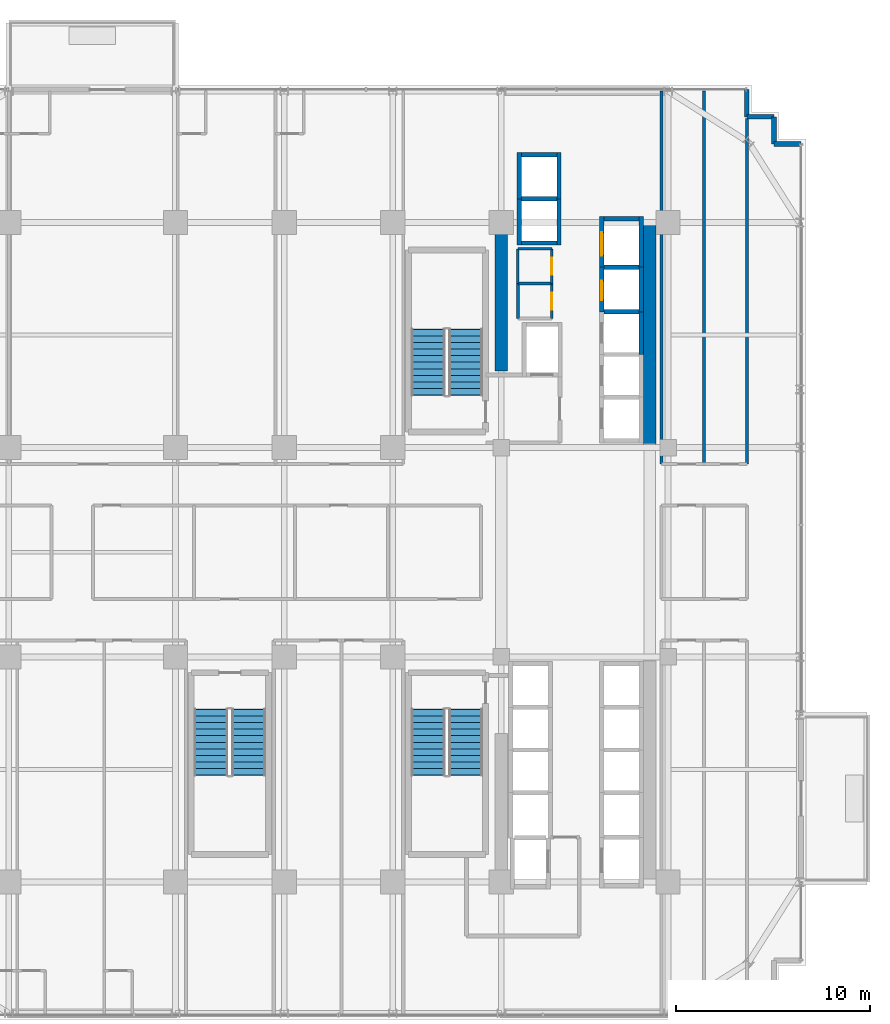
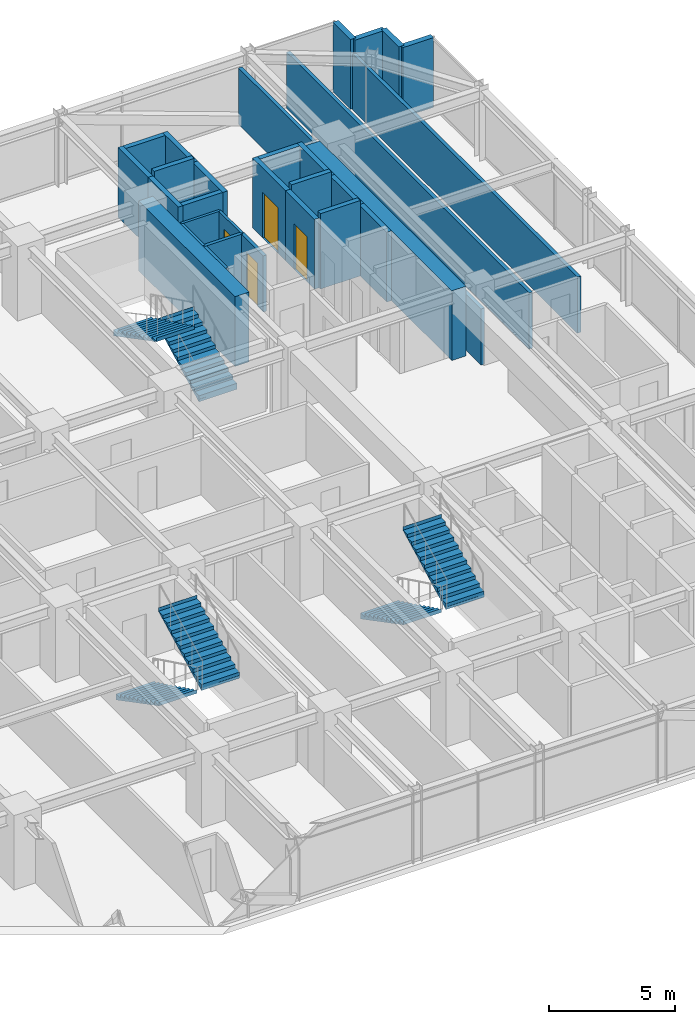
# One storey, part 30 of 34: 30 walls, 6 stair flights, 4 doors, 4 openings, 3 elements without a shape of their own.
"""IFC4 building model written with IfcOpenShell, lengths in metres."""

from ifc_helpers import new_model, si_unit, direction, frame, frame_2d, origin, place, context, subcontext, project, spatial, polyline, rectangle, outline, extrude, source, transform, mapped, material, layer, layer_set, type_object, element, fill, aggregate, save


model = new_model("IFC4")

# Units and contexts
model_context = context("Model", 3, precision=1e-05, world=origin(), true_north=direction((0.0, 1.0)))
body_context = subcontext(model_context, "Body", "Model", "MODEL_VIEW")
ifc_project = project(units=[si_unit("LENGTHUNIT", "METRE"), si_unit("AREAUNIT", "SQUARE_METRE"), si_unit("VOLUMEUNIT", "CUBIC_METRE"), si_unit("PLANEANGLEUNIT", "RADIAN"), si_unit("MASSUNIT", "GRAM", prefix="KILO")], contexts=[model_context])

# Site, building, storey
site_placement = place(None, origin())
site = spatial("IfcSite", under=ifc_project, at=site_placement, CompositionType="ELEMENT")
building_placement = place(site_placement, origin())
building = spatial("IfcBuilding", under=site, at=building_placement, Name="Nahalor Promenade Grand Hotel", CompositionType="ELEMENT")
storey_placement = place(building_placement, frame((0.0, 0.0, 128.449951171875)))
storey = spatial("IfcBuildingStorey", under=building, at=storey_placement, Name="L32", CompositionType="ELEMENT", Elevation=128.449951171875)

# Walls
ifc_material_1 = material(Name="Concrete B-60 (C50/60)", Category="concrete")
ifc_layer_1 = layer(ifc_material_1, 0.64990234375)
ifc_layer_set_1 = layer_set([ifc_layer_1], Name="Concrete B-60 (C50/60)")
wall_type_1 = type_object("IfcWallType", Name="Wall-CoreShear-650", PredefinedType="SHEAR", material=ifc_layer_set_1)
shared_shape_1 = source(origin(), body_context, "Body", "SweptSolid", [
    extrude(rectangle(XDim=7.64990234375, YDim=0.64990234375, at=frame_2d((3.824951171875, 0.0))), origin(), (0.0, 0.0, 1.0), 3.380126953125),
])
wall_1_placement = place(storey_placement, frame((8.39990234375, 9.35009765625, 0.0), z_axis=(0.0, 0.0, 1.0), x_axis=(0.0, 1.0, 0.0)))
element("IfcWall", 1, at=wall_1_placement, inside=storey, type_object=wall_type_1, Name="CWALL-L32-NW", PredefinedType="SHEAR", context=body_context, shape_type="MappedRepresentation", body=[
    mapped(shared_shape_1, transform((0.0, 0.0, 0.0), scale=1.0)),
])
shared_shape_2 = source(origin(), body_context, "Body", "SweptSolid", [
    extrude(rectangle(XDim=11.60009765625, YDim=0.64990234375, at=frame_2d((5.800048828125, 0.0))), origin(), (0.0, 0.0, 1.0), 3.380126953125),
])
wall_2_placement = place(storey_placement, frame((16.050048828125, 5.39990234375, 0.0), z_axis=(0.0, 0.0, 1.0), x_axis=(0.0, 1.0, 0.0)))
element("IfcWall", 2, at=wall_2_placement, inside=storey, type_object=wall_type_1, Name="CWALL-L32-NE", PredefinedType="SHEAR", context=body_context, shape_type="MappedRepresentation", body=[
    mapped(shared_shape_2, transform((0.0, 0.0, 0.0), scale=1.0)),
])
ifc_material_2 = material(Name="Concrete B-50 (C40/50)", Category="concrete")
ifc_layer_2 = layer(ifc_material_2, 0.219970703125)
ifc_layer_set_2 = layer_set([ifc_layer_2], Name="Concrete B-50 (C40/50)")
wall_type_2 = type_object("IfcWallType", Name="Wall-LiftShaft-220", PredefinedType="SHEAR", material=ifc_layer_set_2)
shared_shape_3 = source(origin(), body_context, "Body", "SweptSolid", [
    extrude(rectangle(XDim=1.820068359375, YDim=0.219970703125, at=frame_2d((0.91015625, 0.0))), origin(), (0.0, 0.0, 1.0), 3.650146484375),
])
for number, where, z_axis, x_axis, name in (
    (3, (13.68994140625, 12.39990234375, 0.0), (0.0, 0.0, 1.0), (1.0, 0.0, 0.0), "L32 Lift PL3 Hoistway Wall N"),
    (4, (13.68994140625, 14.699951171875, 0.0), (0.0, 0.0, 1.0), (1.0, 0.0, 0.0), "L32 Lift PL4 Hoistway Wall N"),
    (5, (9.43994140625, 18.22509765625, 0.0), (0.0, 0.0, 1.0), (1.0, 0.0, 0.0), "L32 Lift OB1 Hoistway Wall N"),
):
    element("IfcWall", number, at=place(storey_placement, frame(where, z_axis=z_axis, x_axis=x_axis)), inside=storey, type_object=wall_type_2, Name=name, PredefinedType="SHEAR", context=body_context, shape_type="MappedRepresentation", body=[
        mapped(shared_shape_3, transform((0.0, 0.0, 0.0), scale=1.0)),
    ])
shared_shape_4 = source(origin(), body_context, "Body", "SweptSolid", [
    extrude(rectangle(XDim=1.820068359375, YDim=0.219970703125, at=frame_2d((0.91015625, 0.0))), origin(), (0.0, 0.0, 1.0), 3.380126953125),
])
for number, where, z_axis, x_axis, name in (
    (6, (9.43994140625, 15.949951171875, 0.0), (0.0, 0.0, 1.0), (1.0, 0.0, 0.0), "L32 Lift OB1 Hoistway Wall S"),
    (7, (9.43994140625, 20.5, 0.0), (0.0, 0.0, 1.0), (1.0, 0.0, 0.0), "L32 Lift OB2 Hoistway Wall N"),
    (8, (13.68994140625, 17.199951171875, 0.0), (0.0, 0.0, 1.0), (1.0, 0.0, 0.0), "L32 Lift SV1 Hoistway Wall N"),
):
    element("IfcWall", number, at=place(storey_placement, frame(where, z_axis=z_axis, x_axis=x_axis)), inside=storey, type_object=wall_type_2, Name=name, PredefinedType="SHEAR", context=body_context, shape_type="MappedRepresentation", body=[
        mapped(shared_shape_4, transform((0.0, 0.0, 0.0), scale=1.0)),
    ])
shared_shape_5 = source(origin(), body_context, "Body", "SweptSolid", [
    extrude(rectangle(XDim=2.199951171875, YDim=0.219970703125, at=frame_2d((1.10009765625, 0.0))), origin(), (0.0, 0.0, 1.0), 3.380126953125),
])
wall_3_placement = place(storey_placement, frame((15.6201171875, 10.199951171875, 0.0), z_axis=(0.0, 0.0, 1.0), x_axis=(0.0, 1.0, 0.0)))
element("IfcWall", 9, at=wall_3_placement, inside=storey, type_object=wall_type_2, Name="L32 Lift PL3 Hoistway Wall E", PredefinedType="SHEAR", context=body_context, shape_type="MappedRepresentation", body=[
    mapped(shared_shape_5, transform((0.0, 0.0, 0.0), scale=1.0)),
])

# Wall, opening, door
shared_shape_6 = source(origin(), body_context, "Body", "SweptSolid", [
    extrude(rectangle(XDim=2.300048828125, YDim=0.219970703125, at=frame_2d((1.14990234375, 0.0))), origin(), (0.0, 0.0, 1.0), 3.380126953125),
])
wall_4_placement = place(storey_placement, frame((13.580078125, 12.39990234375, 0.0), z_axis=(0.0, 0.0, 1.0), x_axis=(0.0, 1.0, 0.0)))
wall_4 = element("IfcWall", 10, at=wall_4_placement, inside=storey, type_object=wall_type_2, Name="L32 Lift PL4 Hoistway Wall W", PredefinedType="SHEAR", context=body_context, shape_type="MappedRepresentation", body=[
    mapped(shared_shape_6, transform((0.0, 0.0, 0.0), scale=1.0)),
])
opening_1_placement = place(wall_4_placement, frame((0.60009765625, 0.0, 0.0)))
opening_1 = element("IfcOpeningElement", 11, at=opening_1_placement, cuts=wall_4, Name="Opening LD-01", PredefinedType="OPENING", context=body_context, shape_type="SweptSolid", body=[
    extrude(rectangle(XDim=1.0, YDim=2.199951171875, at=frame_2d((0.5, 1.10009765625))), frame((0.0, 0.119873046875, 0.0), z_axis=(0.0, -1.0, 0.0), x_axis=(1.0, 0.0, 0.0)), (0.0, 0.0, 1.0), 0.239990234375),
])
ifc_material_3 = material(Name="Steel S355JR", Category="steel")
door_type_1 = type_object("IfcDoorType", Name="Door-LiftLanding-1000", OperationType="DOUBLE_DOOR_SLIDING", PredefinedType="DOOR", material=ifc_material_3)
shared_shape_7 = source(origin(), body_context, "Body", "SweptSolid", [
    extrude(rectangle(XDim=1.0, YDim=2.199951171875, at=frame_2d((0.5, 1.10009765625))), frame((0.0, 0.02490234375, 0.0), z_axis=(0.0, -1.0, 0.0), x_axis=(1.0, 0.0, 0.0)), (0.0, 0.0, 1.0), 0.050048828125),
])
door_1_placement = place(opening_1_placement, origin())
door_1 = element("IfcDoor", 12, at=door_1_placement, inside=storey, type_object=door_type_1, Name="DR-LIFT-PL4-L32", OperationType="DOUBLE_DOOR_SLIDING", OverallHeight=2.199951171875, OverallWidth=1.0, PredefinedType="DOOR", context=body_context, shape_type="MappedRepresentation", body=[
    mapped(shared_shape_7, transform((0.0, 0.0, 0.0), scale=1.0)),
])
fill(opening_1, door_1)

# Walls
wall_5_placement = place(storey_placement, frame((15.6201171875, 12.39990234375, 0.0), z_axis=(0.0, 0.0, 1.0), x_axis=(0.0, 1.0, 0.0)))
element("IfcWall", 13, at=wall_5_placement, inside=storey, type_object=wall_type_2, Name="L32 Lift PL4 Hoistway Wall E", PredefinedType="SHEAR", context=body_context, shape_type="MappedRepresentation", body=[
    mapped(shared_shape_6, transform((0.0, 0.0, 0.0), scale=1.0)),
])
shared_shape_8 = source(origin(), body_context, "Body", "SweptSolid", [
    extrude(rectangle(XDim=2.385009765625, YDim=0.219970703125, at=frame_2d((1.1923828125, 0.0))), origin(), (0.0, 0.0, 1.0), 3.380126953125),
])
for number, where, z_axis, x_axis, name in (
    (14, (9.330078125, 15.840087890625, 0.0), (0.0, 0.0, 1.0), (0.0, 1.0, 0.0), "L32 Lift OB1 Hoistway Wall W"),
    (15, (11.3701171875, 15.840087890625, 0.0), (0.0, 0.0, 1.0), (0.0, 1.0, 0.0), "L32 Lift OB1 Hoistway Wall E"),
    (16, (9.330078125, 18.22509765625, 0.0), (0.0, 0.0, 1.0), (0.0, 1.0, 0.0), "L32 Lift OB2 Hoistway Wall W"),
    (17, (11.3701171875, 18.22509765625, 0.0), (0.0, 0.0, 1.0), (0.0, 1.0, 0.0), "L32 Lift OB2 Hoistway Wall E"),
):
    element("IfcWall", number, at=place(storey_placement, frame(where, z_axis=z_axis, x_axis=x_axis)), inside=storey, type_object=wall_type_2, Name=name, PredefinedType="SHEAR", context=body_context, shape_type="MappedRepresentation", body=[
        mapped(shared_shape_8, transform((0.0, 0.0, 0.0), scale=1.0)),
    ])

# Wall, opening, door
shared_shape_9 = source(origin(), body_context, "Body", "SweptSolid", [
    extrude(rectangle(XDim=2.610107421875, YDim=0.219970703125, at=frame_2d((1.30517578125, 0.0))), origin(), (0.0, 0.0, 1.0), 3.380126953125),
])
wall_6_placement = place(storey_placement, frame((13.580078125, 14.699951171875, 0.0), z_axis=(0.0, 0.0, 1.0), x_axis=(0.0, 1.0, 0.0)))
wall_6 = element("IfcWall", 18, at=wall_6_placement, inside=storey, type_object=wall_type_2, Name="L32 Lift SV1 Hoistway Wall W", PredefinedType="SHEAR", context=body_context, shape_type="MappedRepresentation", body=[
    mapped(shared_shape_9, transform((0.0, 0.0, 0.0), scale=1.0)),
])
opening_2_placement = place(wall_6_placement, frame((0.60009765625, 0.0, 0.0)))
opening_2 = element("IfcOpeningElement", 19, at=opening_2_placement, cuts=wall_6, Name="Opening LD-03", PredefinedType="OPENING", context=body_context, shape_type="SweptSolid", body=[
    extrude(rectangle(XDim=1.199951171875, YDim=2.199951171875, at=frame_2d((0.60009765625, 1.10009765625))), frame((0.0, 0.119873046875, 0.0), z_axis=(0.0, -1.0, 0.0), x_axis=(1.0, 0.0, 0.0)), (0.0, 0.0, 1.0), 0.239990234375),
])
door_type_2 = type_object("IfcDoorType", Name="Door-LiftService-1200", OperationType="DOUBLE_DOOR_SLIDING", PredefinedType="DOOR", material=ifc_material_3)
shared_shape_10 = source(origin(), body_context, "Body", "SweptSolid", [
    extrude(rectangle(XDim=1.199951171875, YDim=2.199951171875, at=frame_2d((0.60009765625, 1.10009765625))), frame((0.0, 0.02490234375, 0.0), z_axis=(0.0, -1.0, 0.0), x_axis=(1.0, 0.0, 0.0)), (0.0, 0.0, 1.0), 0.050048828125),
])
door_2_placement = place(opening_2_placement, origin())
door_2 = element("IfcDoor", 20, at=door_2_placement, inside=storey, type_object=door_type_2, Name="DR-LIFT-SV1-L32", OperationType="DOUBLE_DOOR_SLIDING", OverallHeight=2.199951171875, OverallWidth=1.199951171875, PredefinedType="DOOR", context=body_context, shape_type="MappedRepresentation", body=[
    mapped(shared_shape_10, transform((0.0, 0.0, 0.0), scale=1.0)),
])
fill(opening_2, door_2)

# Walls
wall_7_placement = place(storey_placement, frame((15.6201171875, 14.699951171875, 0.0), z_axis=(0.0, 0.0, 1.0), x_axis=(0.0, 1.0, 0.0)))
element("IfcWall", 21, at=wall_7_placement, inside=storey, type_object=wall_type_2, Name="L32 Lift SV1 Hoistway Wall E", PredefinedType="SHEAR", context=body_context, shape_type="MappedRepresentation", body=[
    mapped(shared_shape_9, transform((0.0, 0.0, 0.0), scale=1.0)),
])
ifc_material_4 = material(Name="Concrete B-40 (C32/40)", Category="concrete")
ifc_layer_3 = layer(ifc_material_4, 0.25)
ifc_layer_set_3 = layer_set([ifc_layer_3], Name="Concrete B-40 (C32/40)")
wall_type_3 = type_object("IfcWallType", Name="Wall-BronzePier-250", PredefinedType="STANDARD", material=ifc_layer_set_3)
shared_shape_11 = source(origin(), body_context, "Body", "SweptSolid", [
    extrude(rectangle(XDim=1.400146484375, YDim=0.25, at=frame_2d((0.7001953125, 0.0))), origin(), (0.0, 0.0, 1.0), 3.380126953125),
])
for number, where, z_axis, x_axis, name in (
    (22, (22.4599609375, 21.06005859375, 0.0), (0.0, 0.0, 1.0), (1.0, 0.0, 0.0), "W-L32-SR-05"),
    (23, (21.06005859375, 22.4599609375, 0.0), (0.0, 0.0, 1.0), (0.0, 1.0, 0.0), "W-L32-SR-08"),
):
    element("IfcWall", number, at=place(storey_placement, frame(where, z_axis=z_axis, x_axis=x_axis)), inside=storey, type_object=wall_type_3, Name=name, PredefinedType="STANDARD", context=body_context, shape_type="MappedRepresentation", body=[
        mapped(shared_shape_11, transform((0.0, 0.0, 0.0), scale=1.0)),
    ])
shared_shape_12 = source(origin(), body_context, "Body", "SweptSolid", [
    extrude(rectangle(XDim=1.39990234375, YDim=0.25, at=frame_2d((0.699951171875, 0.0))), origin(), (0.0, 0.0, 1.0), 3.380126953125),
])
for number, where, z_axis, x_axis, name in (
    (24, (22.4599609375, 21.06005859375, 0.0), (0.0, 0.0, 1.0), (0.0, 1.0, 0.0), "W-L32-SR-06"),
    (25, (21.06005859375, 22.4599609375, 0.0), (0.0, 0.0, 1.0), (1.0, 0.0, 0.0), "W-L32-SR-07"),
):
    element("IfcWall", number, at=place(storey_placement, frame(where, z_axis=z_axis, x_axis=x_axis)), inside=storey, type_object=wall_type_3, Name=name, PredefinedType="STANDARD", context=body_context, shape_type="MappedRepresentation", body=[
        mapped(shared_shape_12, transform((0.0, 0.0, 0.0), scale=1.0)),
    ])
ifc_material_5 = material(Name="Acoustic Mineral Gypsum", Category="gypsum")
ifc_layer_4 = layer(ifc_material_5, 0.14990234375)
ifc_layer_set_4 = layer_set([ifc_layer_4], Name="Acoustic Mineral Gypsum")
wall_type_4 = type_object("IfcWallType", Name="Wall-PartService-150", PredefinedType="PARTITIONING", material=ifc_layer_set_4)
shared_shape_13 = source(origin(), body_context, "Body", "SweptSolid", [
    extrude(rectangle(XDim=1.75, YDim=0.14990234375, at=frame_2d((0.875, 0.0))), origin(), (0.0, 0.0, 1.0), 2.719970703125),
])
wall_8_placement = place(storey_placement, frame((9.25, 13.85009765625, 0.0), z_axis=(0.0, 0.0, 1.0), x_axis=(1.0, 0.0, 0.0)))
element("IfcWall", 26, at=wall_8_placement, inside=storey, type_object=wall_type_4, Name="W-L32-CK2A-N", PredefinedType="PARTITIONING", context=body_context, shape_type="MappedRepresentation", body=[
    mapped(shared_shape_13, transform((0.0, 0.0, 0.0), scale=1.0)),
])
ifc_layer_5 = layer(ifc_material_5, 0.1201171875)
ifc_layer_set_5 = layer_set([ifc_layer_5], Name="Acoustic Mineral Gypsum")
wall_type_5 = type_object("IfcWallType", Name="Wall-PartBath-120", PredefinedType="PARTITIONING", material=ifc_layer_set_5)
shared_shape_14 = source(origin(), body_context, "Body", "SweptSolid", [
    extrude(rectangle(XDim=1.75, YDim=0.1201171875, at=frame_2d((0.875, 0.0))), origin(), (0.0, 0.0, 1.0), 2.719970703125),
])
wall_9_placement = place(storey_placement, frame((9.25, 15.64990234375, 0.0), z_axis=(0.0, 0.0, 1.0), x_axis=(1.0, 0.0, 0.0)))
element("IfcWall", 27, at=wall_9_placement, inside=storey, type_object=wall_type_5, Name="W-L32-CK2B-N", PredefinedType="PARTITIONING", context=body_context, shape_type="MappedRepresentation", body=[
    mapped(shared_shape_14, transform((0.0, 0.0, 0.0), scale=1.0)),
])
ifc_layer_6 = layer(ifc_material_5, 0.159912109375)
ifc_layer_set_6 = layer_set([ifc_layer_6], Name="Acoustic Mineral Gypsum")
wall_type_6 = type_object("IfcWallType", Name="Wall-PartCorridor-160", PredefinedType="PARTITIONING", material=ifc_layer_set_6)
shared_shape_15 = source(origin(), body_context, "Body", "SweptSolid", [
    extrude(rectangle(XDim=19.25, YDim=0.159912109375, at=frame_2d((9.625, 0.0))), origin(), (0.0, 0.0, 1.0), 2.719970703125),
])
for number, where, z_axis, x_axis, name in (
    (28, (16.64990234375, 4.550048828125, 0.0), (0.0, 0.0, 1.0), (0.0, 1.0, 0.0), "W-L32-ENE1-W"),
    (29, (18.85498046875, 4.550048828125, 0.0), (0.0, 0.0, 1.0), (0.0, 1.0, 0.0), "W-L32-ENE1-E"),
):
    element("IfcWall", number, at=place(storey_placement, frame(where, z_axis=z_axis, x_axis=x_axis)), inside=storey, type_object=wall_type_6, Name=name, PredefinedType="PARTITIONING", context=body_context, shape_type="MappedRepresentation", body=[
        mapped(shared_shape_15, transform((0.0, 0.0, 0.0), scale=1.0)),
    ])
shared_shape_16 = source(origin(), body_context, "Body", "SweptSolid", [
    extrude(rectangle(XDim=17.829833984375, YDim=0.159912109375, at=frame_2d((8.9150390625, 0.0))), origin(), (0.0, 0.0, 1.0), 2.719970703125),
])
wall_10_placement = place(storey_placement, frame((21.06005859375, 4.550048828125, 0.0), z_axis=(0.0, 0.0, 1.0), x_axis=(0.0, 1.0, 0.0)))
element("IfcWall", 30, at=wall_10_placement, inside=storey, type_object=wall_type_6, Name="W-L32-ENE2-E", PredefinedType="PARTITIONING", context=body_context, shape_type="MappedRepresentation", body=[
    mapped(shared_shape_16, transform((0.0, 0.0, 0.0), scale=1.0)),
])
shared_shape_17 = source(origin(), body_context, "Body", "SweptSolid", [
    extrude(rectangle(XDim=1.800048828125, YDim=0.14990234375, at=frame_2d((0.89990234375, 0.0))), origin(), (0.0, 0.0, 1.0), 2.719970703125),
])
wall_11_placement = place(storey_placement, frame((9.25, 12.050048828125, 0.0), z_axis=(0.0, 0.0, 1.0), x_axis=(0.0, 1.0, 0.0)))
element("IfcWall", 31, at=wall_11_placement, inside=storey, type_object=wall_type_4, Name="W-L32-CK2A-W", PredefinedType="PARTITIONING", context=body_context, shape_type="MappedRepresentation", body=[
    mapped(shared_shape_17, transform((0.0, 0.0, 0.0), scale=1.0)),
])

# Wall, opening, door
wall_12_placement = place(storey_placement, frame((11.0, 12.050048828125, 0.0), z_axis=(0.0, 0.0, 1.0), x_axis=(0.0, 1.0, 0.0)))
wall_12 = element("IfcWall", 32, at=wall_12_placement, inside=storey, type_object=wall_type_4, Name="W-L32-CK2A-E", PredefinedType="PARTITIONING", context=body_context, shape_type="MappedRepresentation", body=[
    mapped(shared_shape_17, transform((0.0, 0.0, 0.0), scale=1.0)),
])
opening_3_placement = place(wall_12_placement, frame((0.4599609375, 0.0, 0.0)))
opening_3 = element("IfcOpeningElement", 33, at=opening_3_placement, cuts=wall_12, Name="Opening D-03", PredefinedType="OPENING", context=body_context, shape_type="SweptSolid", body=[
    extrude(rectangle(XDim=0.8798828125, YDim=2.10009765625, at=frame_2d((0.43994140625, 1.050048828125))), frame((0.0, 0.0849609375, 0.0), z_axis=(0.0, -1.0, 0.0), x_axis=(1.0, 0.0, 0.0)), (0.0, 0.0, 1.0), 0.169921875),
])
ifc_material_6 = material(Name="Fire-Rated Timber Composite", Category="wood")
door_type_3 = type_object("IfcDoorType", Name="Door-BathSwing-880", OperationType="NOTDEFINED", PredefinedType="DOOR", material=ifc_material_6)
shared_shape_18 = source(origin(), body_context, "Body", "SweptSolid", [
    extrude(rectangle(XDim=0.8798828125, YDim=2.10009765625, at=frame_2d((0.43994140625, 1.050048828125))), frame((0.0, 0.02490234375, 0.0), z_axis=(0.0, -1.0, 0.0), x_axis=(1.0, 0.0, 0.0)), (0.0, 0.0, 1.0), 0.050048828125),
])
door_3_placement = place(opening_3_placement, origin())
door_3 = element("IfcDoor", 34, at=door_3_placement, inside=storey, type_object=door_type_3, Name="DR-L32-CK2A", OperationType="SINGLE_SWING_RIGHT", OverallHeight=2.10009765625, OverallWidth=0.8798828125, PredefinedType="DOOR", context=body_context, shape_type="MappedRepresentation", body=[
    mapped(shared_shape_18, transform((0.0, 0.0, 0.0), scale=1.0)),
])
fill(opening_3, door_3)

# Wall
shared_shape_19 = source(origin(), body_context, "Body", "SweptSolid", [
    extrude(rectangle(XDim=1.7998046875, YDim=0.1201171875, at=frame_2d((0.89990234375, 0.0))), origin(), (0.0, 0.0, 1.0), 2.719970703125),
])
wall_13_placement = place(storey_placement, frame((9.25, 13.85009765625, 0.0), z_axis=(0.0, 0.0, 1.0), x_axis=(0.0, 1.0, 0.0)))
element("IfcWall", 35, at=wall_13_placement, inside=storey, type_object=wall_type_5, Name="W-L32-CK2B-W", PredefinedType="PARTITIONING", context=body_context, shape_type="MappedRepresentation", body=[
    mapped(shared_shape_19, transform((0.0, 0.0, 0.0), scale=1.0)),
])

# Wall, opening, door
wall_14_placement = place(storey_placement, frame((11.0, 13.85009765625, 0.0), z_axis=(0.0, 0.0, 1.0), x_axis=(0.0, 1.0, 0.0)))
wall_14 = element("IfcWall", 36, at=wall_14_placement, inside=storey, type_object=wall_type_5, Name="W-L32-CK2B-E", PredefinedType="PARTITIONING", context=body_context, shape_type="MappedRepresentation", body=[
    mapped(shared_shape_19, transform((0.0, 0.0, 0.0), scale=1.0)),
])
opening_4_placement = place(wall_14_placement, frame((0.4599609375, 0.0, 0.0)))
opening_4 = element("IfcOpeningElement", 37, at=opening_4_placement, cuts=wall_14, Name="Opening D-03", PredefinedType="OPENING", context=body_context, shape_type="SweptSolid", body=[
    extrude(rectangle(XDim=0.8798828125, YDim=2.10009765625, at=frame_2d((0.43994140625, 1.050048828125))), frame((0.0, 0.070068359375, 0.0), z_axis=(0.0, -1.0, 0.0), x_axis=(1.0, 0.0, 0.0)), (0.0, 0.0, 1.0), 0.14013671875),
])
door_4_placement = place(opening_4_placement, origin())
door_4 = element("IfcDoor", 38, at=door_4_placement, inside=storey, type_object=door_type_3, Name="DR-L32-CK2B", OperationType="SINGLE_SWING_LEFT", OverallHeight=2.10009765625, OverallWidth=0.8798828125, PredefinedType="DOOR", context=body_context, shape_type="MappedRepresentation", body=[
    mapped(shared_shape_18, transform((0.0, 0.0, 0.0), scale=1.0)),
])
fill(opening_4, door_4)

# Stair, stair flights
stair_type_1 = type_object("IfcStairType", Name="Stair-ST1", PredefinedType="HALF_TURN_STAIR", material=ifc_material_2)
stair_1_placement = place(storey_placement, origin())
stair_1 = element("IfcStair", 39, at=stair_1_placement, inside=storey, type_object=stair_type_1, Name="L32 ST1", PredefinedType="HALF_TURN_STAIR")
ifc_layer_7 = layer(ifc_material_2, 0.179931640625)
ifc_layer_set_7 = layer_set([ifc_layer_7], Name="Concrete B-50 (C40/50)")
stair_flight_type_1 = type_object("IfcStairFlightType", Name="Flight-ST1", PredefinedType="STRAIGHT", material=ifc_layer_set_7)
shared_shape_20 = source(origin(), body_context, "Body", "SweptSolid", [
    extrude(outline(polyline([(-0.00390625, -0.1201171875), (-0.00390625, 0.0), (0.0, 0.0), (0.0, 0.166015625), (0.340087890625, 0.166015625), (0.340087890625, 0.331787109375), (0.679931640625, 0.331787109375), (0.679931640625, 0.497802734375), (1.02001953125, 0.497802734375), (1.02001953125, 0.66357421875), (1.360107421875, 0.66357421875), (1.360107421875, 0.82958984375), (1.699951171875, 0.82958984375), (1.699951171875, 0.995361328125), (2.0400390625, 0.995361328125), (2.0400390625, 1.161376953125), (2.3798828125, 1.161376953125), (2.3798828125, 1.327392578125), (2.719970703125, 1.327392578125), (2.719970703125, 1.4931640625), (3.06005859375, 1.4931640625), (3.06005859375, 1.6591796875), (3.39990234375, 1.6591796875), (3.39990234375, 1.824951171875), (3.404052734375, 1.824951171875), (3.404052734375, 1.64501953125), (0.02001953125, -0.1201171875), (-0.00390625, -0.1201171875)])), frame((0.0, 0.875, 0.0), z_axis=(0.0, -1.0, 0.0), x_axis=(1.0, 0.0, 0.0)), (0.0, 0.0, 1.0), 1.75),
])
stair_flight_1_placement = place(storey_placement, frame((6.574951171875, 8.10009765625, 0.0), z_axis=(0.0, 0.0, 1.0), x_axis=(0.0, 1.0, 0.0)))
stair_flight_1 = element("IfcStairFlight", 40, at=stair_flight_1_placement, type_object=stair_flight_type_1, Name="ST1 flight 1", NumberOfRisers=11, NumberOfTreads=10, PredefinedType="STRAIGHT", RiserHeight=0.165909091, TreadLength=0.34, context=body_context, shape_type="MappedRepresentation", body=[
    mapped(shared_shape_20, transform((0.0, 0.0, 0.0), scale=1.0)),
])
stair_flight_2_placement = place(storey_placement, frame((4.625, 11.5, 1.824951171875), z_axis=(0.0, 0.0, 1.0), x_axis=(0.0, -1.0, 0.0)))
stair_flight_2 = element("IfcStairFlight", 41, at=stair_flight_2_placement, type_object=stair_flight_type_1, Name="ST1 flight 2", NumberOfRisers=11, NumberOfTreads=10, PredefinedType="STRAIGHT", RiserHeight=0.165909091, TreadLength=0.34, context=body_context, shape_type="MappedRepresentation", body=[
    mapped(shared_shape_20, transform((0.0, 0.0, 0.0), scale=1.0)),
])
aggregate(stair_1, [stair_flight_1, stair_flight_2])

stair_type_2 = type_object("IfcStairType", Name="Stair-ST2", PredefinedType="HALF_TURN_STAIR", material=ifc_material_2)
stair_2_placement = place(storey_placement, origin())
stair_2 = element("IfcStair", 42, at=stair_2_placement, inside=storey, type_object=stair_type_2, Name="L32 ST2", PredefinedType="HALF_TURN_STAIR")
ifc_layer_8 = layer(ifc_material_2, 0.18994140625)
ifc_layer_set_8 = layer_set([ifc_layer_8], Name="Concrete B-50 (C40/50)")
stair_flight_type_2 = type_object("IfcStairFlightType", Name="Flight-ST2", PredefinedType="STRAIGHT", material=ifc_layer_set_8)
shared_shape_21 = source(origin(), body_context, "Body", "SweptSolid", [
    extrude(outline(polyline([(-0.00390625, -0.1201171875), (-0.00390625, 0.0), (0.0, 0.0), (0.0, 0.166015625), (0.340087890625, 0.166015625), (0.340087890625, 0.331787109375), (0.679931640625, 0.331787109375), (0.679931640625, 0.497802734375), (1.02001953125, 0.497802734375), (1.02001953125, 0.66357421875), (1.360107421875, 0.66357421875), (1.360107421875, 0.82958984375), (1.699951171875, 0.82958984375), (1.699951171875, 0.995361328125), (2.0400390625, 0.995361328125), (2.0400390625, 1.161376953125), (2.3798828125, 1.161376953125), (2.3798828125, 1.327392578125), (2.719970703125, 1.327392578125), (2.719970703125, 1.4931640625), (3.06005859375, 1.4931640625), (3.06005859375, 1.6591796875), (3.39990234375, 1.6591796875), (3.39990234375, 1.824951171875), (3.404052734375, 1.824951171875), (3.404052734375, 1.64501953125), (0.02001953125, -0.1201171875), (-0.00390625, -0.1201171875)])), frame((0.0, 0.875, 0.0), z_axis=(0.0, -1.0, 0.0), x_axis=(1.0, 0.0, 0.0)), (0.0, 0.0, 1.0), 1.75),
])
stair_flight_3_placement = place(storey_placement, frame((4.625, -8.10009765625, 0.0), z_axis=(0.0, 0.0, 1.0), x_axis=(0.0, -1.0, 0.0)))
stair_flight_3 = element("IfcStairFlight", 43, at=stair_flight_3_placement, type_object=stair_flight_type_2, Name="ST2 flight 1", NumberOfRisers=11, NumberOfTreads=10, PredefinedType="STRAIGHT", RiserHeight=0.165909091, TreadLength=0.34, context=body_context, shape_type="MappedRepresentation", body=[
    mapped(shared_shape_21, transform((0.0, 0.0, 0.0), scale=1.0)),
])
stair_flight_4_placement = place(storey_placement, frame((6.574951171875, -11.5, 1.824951171875), z_axis=(0.0, 0.0, 1.0), x_axis=(0.0, 1.0, 0.0)))
stair_flight_4 = element("IfcStairFlight", 44, at=stair_flight_4_placement, type_object=stair_flight_type_2, Name="ST2 flight 2", NumberOfRisers=11, NumberOfTreads=10, PredefinedType="STRAIGHT", RiserHeight=0.165909091, TreadLength=0.34, context=body_context, shape_type="MappedRepresentation", body=[
    mapped(shared_shape_21, transform((0.0, 0.0, 0.0), scale=1.0)),
])
aggregate(stair_2, [stair_flight_3, stair_flight_4])

stair_type_3 = type_object("IfcStairType", Name="Stair-ST3", PredefinedType="HALF_TURN_STAIR", material=ifc_material_2)
stair_3_placement = place(storey_placement, origin())
stair_3 = element("IfcStair", 45, at=stair_3_placement, inside=storey, type_object=stair_type_3, Name="L32 ST3", PredefinedType="HALF_TURN_STAIR")
ifc_layer_9 = layer(ifc_material_2, 0.199951171875)
ifc_layer_set_9 = layer_set([ifc_layer_9], Name="Concrete B-50 (C40/50)")
stair_flight_type_3 = type_object("IfcStairFlightType", Name="Flight-ST3", PredefinedType="STRAIGHT", material=ifc_layer_set_9)
shared_shape_22 = source(origin(), body_context, "Body", "SweptSolid", [
    extrude(outline(polyline([(-0.00390625, -0.1201171875), (-0.00390625, 0.0), (0.0, 0.0), (0.0, 0.166015625), (0.340087890625, 0.166015625), (0.340087890625, 0.331787109375), (0.679931640625, 0.331787109375), (0.679931640625, 0.497802734375), (1.02001953125, 0.497802734375), (1.02001953125, 0.66357421875), (1.360107421875, 0.66357421875), (1.360107421875, 0.82958984375), (1.699951171875, 0.82958984375), (1.699951171875, 0.995361328125), (2.0400390625, 0.995361328125), (2.0400390625, 1.161376953125), (2.3798828125, 1.161376953125), (2.3798828125, 1.327392578125), (2.719970703125, 1.327392578125), (2.719970703125, 1.4931640625), (3.06005859375, 1.4931640625), (3.06005859375, 1.6591796875), (3.39990234375, 1.6591796875), (3.39990234375, 1.824951171875), (3.404052734375, 1.824951171875), (3.404052734375, 1.64501953125), (0.02001953125, -0.1201171875), (-0.00390625, -0.1201171875)])), frame((0.0, 0.875, 0.0), z_axis=(0.0, -1.0, 0.0), x_axis=(1.0, 0.0, 0.0)), (0.0, 0.0, 1.0), 1.75),
])
stair_flight_5_placement = place(storey_placement, frame((-6.574951171875, -8.10009765625, 0.0), z_axis=(0.0, 0.0, 1.0), x_axis=(0.0, -1.0, 0.0)))
stair_flight_5 = element("IfcStairFlight", 46, at=stair_flight_5_placement, type_object=stair_flight_type_3, Name="ST3 flight 1", NumberOfRisers=11, NumberOfTreads=10, PredefinedType="STRAIGHT", RiserHeight=0.165909091, TreadLength=0.34, context=body_context, shape_type="MappedRepresentation", body=[
    mapped(shared_shape_22, transform((0.0, 0.0, 0.0), scale=1.0)),
])
stair_flight_6_placement = place(storey_placement, frame((-4.625, -11.5, 1.824951171875), z_axis=(0.0, 0.0, 1.0), x_axis=(0.0, 1.0, 0.0)))
stair_flight_6 = element("IfcStairFlight", 47, at=stair_flight_6_placement, type_object=stair_flight_type_3, Name="ST3 flight 2", NumberOfRisers=11, NumberOfTreads=10, PredefinedType="STRAIGHT", RiserHeight=0.165909091, TreadLength=0.34, context=body_context, shape_type="MappedRepresentation", body=[
    mapped(shared_shape_22, transform((0.0, 0.0, 0.0), scale=1.0)),
])
aggregate(stair_3, [stair_flight_5, stair_flight_6])

save(model, "model.ifc")
